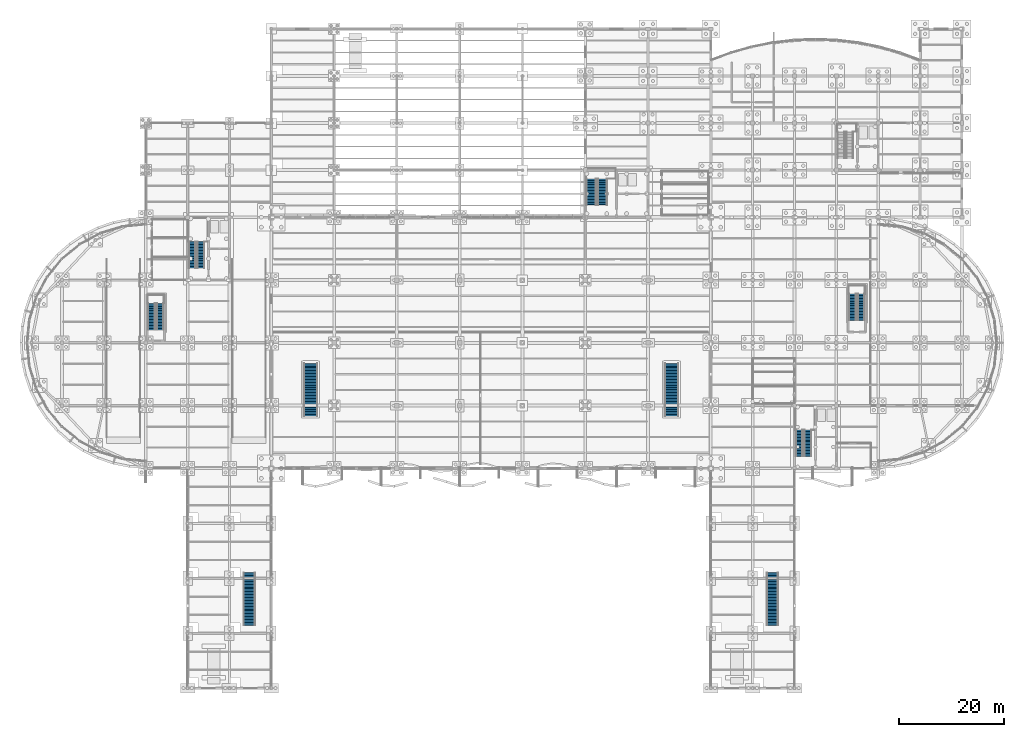
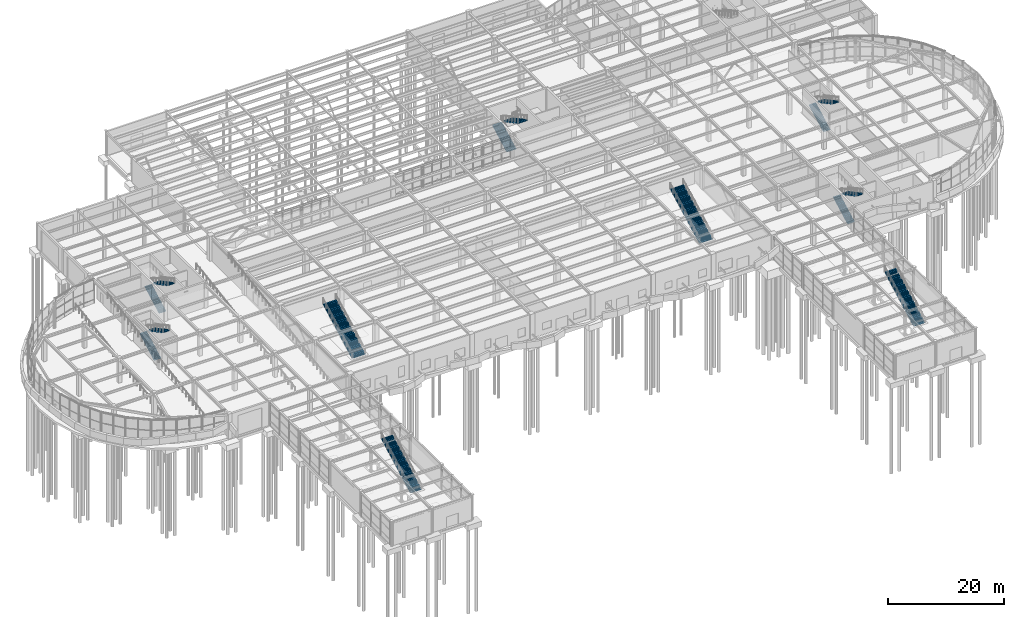
# One storey, part 71 of 85: 14 stair flights, 9 elements without a shape of their own.
"""IFC4 building model written with IfcOpenShell, lengths in metres."""

from ifc_helpers import new_model, si_unit, direction, frame, origin, place, context, subcontext, project, spatial, polyline, outline, extrude, material, type_object, element, aggregate, save


model = new_model("IFC4")

# Units and contexts
model_context = context("Model", 3, precision=1e-05, world=origin(), true_north=direction((0.0, 1.0)))
body_context = subcontext(model_context, "Body", "Model", "MODEL_VIEW")
ifc_project = project(units=[si_unit("LENGTHUNIT", "METRE"), si_unit("AREAUNIT", "SQUARE_METRE"), si_unit("VOLUMEUNIT", "CUBIC_METRE"), si_unit("PLANEANGLEUNIT", "RADIAN"), si_unit("MASSUNIT", "GRAM", prefix="KILO")], contexts=[model_context])

# Site, building, storey
site_placement = place(None, origin())
site = spatial("IfcSite", under=ifc_project, at=site_placement, CompositionType="ELEMENT")
building_placement = place(site_placement, origin())
building = spatial("IfcBuilding", under=site, at=building_placement, Name="Keelwater Ferry Terminal", CompositionType="ELEMENT")
storey_placement = place(building_placement, origin())
storey = spatial("IfcBuildingStorey", under=building, at=storey_placement, Name="L00", CompositionType="ELEMENT", Elevation=0.0)

# Stair, stair flights
ifc_material_1 = material(Name="Concrete C40/50", Category="concrete")
stair_type_1 = type_object("IfcStairType", Name="ST-T01 Half-Turn Stair 1350W 36R", PredefinedType="HALF_TURN_STAIR", material=ifc_material_1)
stair_1_placement = place(storey_placement, origin())
stair_1 = element("IfcStair", 1, at=stair_1_placement, inside=storey, type_object=stair_type_1, Name="Half-Turn Stair ST-C1-L00", PredefinedType="HALF_TURN_STAIR")
ifc_material_2 = material(Name="Concrete C40/50", Category="concrete")
stair_flight_type_1 = type_object("IfcStairFlightType", Name="FL-T01 Straight Flight 1350W 36R", PredefinedType="STRAIGHT", material=ifc_material_2)
stair_flight_1_placement = place(storey_placement, frame((32.875, 80.300048828125, 0.0), z_axis=(0.0, 0.0, 1.0), x_axis=(0.0, 1.0, 0.0)))
stair_flight_1 = element("IfcStairFlight", 2, at=stair_flight_1_placement, type_object=stair_flight_type_1, Name="ST-C1-L00 flight 1", NumberOfRisers=18, NumberOfTreads=17, PredefinedType="STRAIGHT", RiserHeight=0.15, TreadLength=0.28, context=body_context, shape_type="SweptSolid", body=[
    extrude(outline(polyline([(0.0, 0.0), (0.0, 0.14990234375), (0.280029296875, 0.14990234375), (0.280029296875, 0.300048828125), (0.56005859375, 0.300048828125), (0.56005859375, 0.449951171875), (0.840087890625, 0.449951171875), (0.840087890625, 0.60009765625), (1.1201171875, 0.60009765625), (1.1201171875, 0.75), (1.39990234375, 0.75), (1.39990234375, 0.89990234375), (1.679931640625, 0.89990234375), (1.679931640625, 1.050048828125), (1.9599609375, 1.050048828125), (1.9599609375, 1.199951171875), (2.239990234375, 1.199951171875), (2.239990234375, 1.35009765625), (2.52001953125, 1.35009765625), (2.52001953125, 1.5), (2.800048828125, 1.5), (2.800048828125, 1.64990234375), (3.080078125, 1.64990234375), (3.080078125, 1.800048828125), (3.360107421875, 1.800048828125), (3.360107421875, 1.949951171875), (3.639892578125, 1.949951171875), (3.639892578125, 2.10009765625), (3.919921875, 2.10009765625), (3.919921875, 2.25), (4.199951171875, 2.25), (4.199951171875, 2.39990234375), (4.47998046875, 2.39990234375), (4.47998046875, 2.550048828125), (4.760009765625, 2.550048828125), (4.760009765625, 2.699951171875), (5.0400390625, 2.699951171875), (5.0400390625, 2.495849609375), (0.381103515625, 0.0), (0.0, 0.0)])), frame((0.0, 0.675048828125, 0.0), z_axis=(0.0, -1.0, 0.0), x_axis=(1.0, 0.0, 0.0)), (0.0, 0.0, 1.0), 1.35009765625),
])
stair_flight_2_placement = place(storey_placement, frame((34.56494140625, 85.340087890625, 2.699951171875), z_axis=(0.0, 0.0, 1.0), x_axis=(0.0, -1.0, 0.0)))
stair_flight_2 = element("IfcStairFlight", 3, at=stair_flight_2_placement, type_object=stair_flight_type_1, Name="ST-C1-L00 flight 2", NumberOfRisers=18, NumberOfTreads=17, PredefinedType="STRAIGHT", RiserHeight=0.15, TreadLength=0.28, context=body_context, shape_type="SweptSolid", body=[
    extrude(outline(polyline([(0.0, 0.0), (0.0, 0.14990234375), (0.280029296875, 0.14990234375), (0.280029296875, 0.300048828125), (0.56005859375, 0.300048828125), (0.56005859375, 0.449951171875), (0.840087890625, 0.449951171875), (0.840087890625, 0.60009765625), (1.1201171875, 0.60009765625), (1.1201171875, 0.75), (1.39990234375, 0.75), (1.39990234375, 0.89990234375), (1.679931640625, 0.89990234375), (1.679931640625, 1.050048828125), (1.9599609375, 1.050048828125), (1.9599609375, 1.199951171875), (2.239990234375, 1.199951171875), (2.239990234375, 1.35009765625), (2.52001953125, 1.35009765625), (2.52001953125, 1.5), (2.800048828125, 1.5), (2.800048828125, 1.64990234375), (3.080078125, 1.64990234375), (3.080078125, 1.800048828125), (3.360107421875, 1.800048828125), (3.360107421875, 1.949951171875), (3.639892578125, 1.949951171875), (3.639892578125, 2.10009765625), (3.919921875, 2.10009765625), (3.919921875, 2.25), (4.199951171875, 2.25), (4.199951171875, 2.39990234375), (4.47998046875, 2.39990234375), (4.47998046875, 2.550048828125), (4.760009765625, 2.550048828125), (4.760009765625, 2.699951171875), (5.0400390625, 2.699951171875), (5.0400390625, 2.495849609375), (0.381103515625, 0.0), (0.0, 0.0)])), frame((0.0, 0.675048828125, 0.0), z_axis=(0.0, -1.0, 0.0), x_axis=(1.0, 0.0, 0.0)), (0.0, 0.0, 1.0), 1.35009765625),
])
aggregate(stair_1, [stair_flight_1, stair_flight_2])

stair_2_placement = place(storey_placement, origin())
stair_2 = element("IfcStair", 4, at=stair_2_placement, inside=storey, type_object=stair_type_1, Name="Half-Turn Stair ST-C4-L00", PredefinedType="HALF_TURN_STAIR")
stair_flight_3_placement = place(storey_placement, frame((148.875, 44.300048828125, 0.0), z_axis=(0.0, 0.0, 1.0), x_axis=(0.0, 1.0, 0.0)))
stair_flight_3 = element("IfcStairFlight", 5, at=stair_flight_3_placement, type_object=stair_flight_type_1, Name="ST-C4-L00 flight 1", NumberOfRisers=18, NumberOfTreads=17, PredefinedType="STRAIGHT", RiserHeight=0.15, TreadLength=0.28, context=body_context, shape_type="SweptSolid", body=[
    extrude(outline(polyline([(0.0, 0.0), (0.0, 0.14990234375), (0.280029296875, 0.14990234375), (0.280029296875, 0.300048828125), (0.56005859375, 0.300048828125), (0.56005859375, 0.449951171875), (0.840087890625, 0.449951171875), (0.840087890625, 0.60009765625), (1.1201171875, 0.60009765625), (1.1201171875, 0.75), (1.39990234375, 0.75), (1.39990234375, 0.89990234375), (1.679931640625, 0.89990234375), (1.679931640625, 1.050048828125), (1.9599609375, 1.050048828125), (1.9599609375, 1.199951171875), (2.239990234375, 1.199951171875), (2.239990234375, 1.35009765625), (2.52001953125, 1.35009765625), (2.52001953125, 1.5), (2.800048828125, 1.5), (2.800048828125, 1.64990234375), (3.080078125, 1.64990234375), (3.080078125, 1.800048828125), (3.360107421875, 1.800048828125), (3.360107421875, 1.949951171875), (3.639892578125, 1.949951171875), (3.639892578125, 2.10009765625), (3.919921875, 2.10009765625), (3.919921875, 2.25), (4.199951171875, 2.25), (4.199951171875, 2.39990234375), (4.47998046875, 2.39990234375), (4.47998046875, 2.550048828125), (4.760009765625, 2.550048828125), (4.760009765625, 2.699951171875), (5.0400390625, 2.699951171875), (5.0400390625, 2.495849609375), (0.381103515625, 0.0), (0.0, 0.0)])), frame((0.0, 0.675048828125, 0.0), z_axis=(0.0, -1.0, 0.0), x_axis=(1.0, 0.0, 0.0)), (0.0, 0.0, 1.0), 1.35009765625),
])
stair_flight_4_placement = place(storey_placement, frame((150.56494140625, 49.340087890625, 2.699951171875), z_axis=(0.0, 0.0, 1.0), x_axis=(0.0, -1.0, 0.0)))
stair_flight_4 = element("IfcStairFlight", 6, at=stair_flight_4_placement, type_object=stair_flight_type_1, Name="ST-C4-L00 flight 2", NumberOfRisers=18, NumberOfTreads=17, PredefinedType="STRAIGHT", RiserHeight=0.15, TreadLength=0.28, context=body_context, shape_type="SweptSolid", body=[
    extrude(outline(polyline([(0.0, 0.0), (0.0, 0.14990234375), (0.280029296875, 0.14990234375), (0.280029296875, 0.300048828125), (0.56005859375, 0.300048828125), (0.56005859375, 0.449951171875), (0.840087890625, 0.449951171875), (0.840087890625, 0.60009765625), (1.1201171875, 0.60009765625), (1.1201171875, 0.75), (1.39990234375, 0.75), (1.39990234375, 0.89990234375), (1.679931640625, 0.89990234375), (1.679931640625, 1.050048828125), (1.9599609375, 1.050048828125), (1.9599609375, 1.199951171875), (2.239990234375, 1.199951171875), (2.239990234375, 1.35009765625), (2.52001953125, 1.35009765625), (2.52001953125, 1.5), (2.800048828125, 1.5), (2.800048828125, 1.64990234375), (3.080078125, 1.64990234375), (3.080078125, 1.800048828125), (3.360107421875, 1.800048828125), (3.360107421875, 1.949951171875), (3.639892578125, 1.949951171875), (3.639892578125, 2.10009765625), (3.919921875, 2.10009765625), (3.919921875, 2.25), (4.199951171875, 2.25), (4.199951171875, 2.39990234375), (4.47998046875, 2.39990234375), (4.47998046875, 2.550048828125), (4.760009765625, 2.550048828125), (4.760009765625, 2.699951171875), (5.0400390625, 2.699951171875), (5.0400390625, 2.495849609375), (0.381103515625, 0.0), (0.0, 0.0)])), frame((0.0, 0.675048828125, 0.0), z_axis=(0.0, -1.0, 0.0), x_axis=(1.0, 0.0, 0.0)), (0.0, 0.0, 1.0), 1.35009765625),
])
aggregate(stair_2, [stair_flight_3, stair_flight_4])

stair_3_placement = place(storey_placement, origin())
stair_3 = element("IfcStair", 7, at=stair_3_placement, inside=storey, type_object=stair_type_1, Name="Half-Turn Stair ST-E5-L00", PredefinedType="HALF_TURN_STAIR")
stair_flight_5_placement = place(storey_placement, frame((159.074951171875, 70.300048828125, 0.0), z_axis=(0.0, 0.0, 1.0), x_axis=(0.0, 1.0, 0.0)))
stair_flight_5 = element("IfcStairFlight", 8, at=stair_flight_5_placement, type_object=stair_flight_type_1, Name="ST-E5-L00 flight 1", NumberOfRisers=18, NumberOfTreads=17, PredefinedType="STRAIGHT", RiserHeight=0.15, TreadLength=0.28, context=body_context, shape_type="SweptSolid", body=[
    extrude(outline(polyline([(0.0, 0.0), (0.0, 0.14990234375), (0.280029296875, 0.14990234375), (0.280029296875, 0.300048828125), (0.56005859375, 0.300048828125), (0.56005859375, 0.449951171875), (0.840087890625, 0.449951171875), (0.840087890625, 0.60009765625), (1.1201171875, 0.60009765625), (1.1201171875, 0.75), (1.39990234375, 0.75), (1.39990234375, 0.89990234375), (1.679931640625, 0.89990234375), (1.679931640625, 1.050048828125), (1.9599609375, 1.050048828125), (1.9599609375, 1.199951171875), (2.239990234375, 1.199951171875), (2.239990234375, 1.35009765625), (2.52001953125, 1.35009765625), (2.52001953125, 1.5), (2.800048828125, 1.5), (2.800048828125, 1.64990234375), (3.080078125, 1.64990234375), (3.080078125, 1.800048828125), (3.360107421875, 1.800048828125), (3.360107421875, 1.949951171875), (3.639892578125, 1.949951171875), (3.639892578125, 2.10009765625), (3.919921875, 2.10009765625), (3.919921875, 2.25), (4.199951171875, 2.25), (4.199951171875, 2.39990234375), (4.47998046875, 2.39990234375), (4.47998046875, 2.550048828125), (4.760009765625, 2.550048828125), (4.760009765625, 2.699951171875), (5.0400390625, 2.699951171875), (5.0400390625, 2.495849609375), (0.381103515625, 0.0), (0.0, 0.0)])), frame((0.0, 0.675048828125, 0.0), z_axis=(0.0, -1.0, 0.0), x_axis=(1.0, 0.0, 0.0)), (0.0, 0.0, 1.0), 1.35009765625),
])
stair_flight_6_placement = place(storey_placement, frame((160.764892578125, 75.340087890625, 2.699951171875), z_axis=(0.0, 0.0, 1.0), x_axis=(0.0, -1.0, 0.0)))
stair_flight_6 = element("IfcStairFlight", 9, at=stair_flight_6_placement, type_object=stair_flight_type_1, Name="ST-E5-L00 flight 2", NumberOfRisers=18, NumberOfTreads=17, PredefinedType="STRAIGHT", RiserHeight=0.15, TreadLength=0.28, context=body_context, shape_type="SweptSolid", body=[
    extrude(outline(polyline([(0.0, 0.0), (0.0, 0.14990234375), (0.280029296875, 0.14990234375), (0.280029296875, 0.300048828125), (0.56005859375, 0.300048828125), (0.56005859375, 0.449951171875), (0.840087890625, 0.449951171875), (0.840087890625, 0.60009765625), (1.1201171875, 0.60009765625), (1.1201171875, 0.75), (1.39990234375, 0.75), (1.39990234375, 0.89990234375), (1.679931640625, 0.89990234375), (1.679931640625, 1.050048828125), (1.9599609375, 1.050048828125), (1.9599609375, 1.199951171875), (2.239990234375, 1.199951171875), (2.239990234375, 1.35009765625), (2.52001953125, 1.35009765625), (2.52001953125, 1.5), (2.800048828125, 1.5), (2.800048828125, 1.64990234375), (3.080078125, 1.64990234375), (3.080078125, 1.800048828125), (3.360107421875, 1.800048828125), (3.360107421875, 1.949951171875), (3.639892578125, 1.949951171875), (3.639892578125, 2.10009765625), (3.919921875, 2.10009765625), (3.919921875, 2.25), (4.199951171875, 2.25), (4.199951171875, 2.39990234375), (4.47998046875, 2.39990234375), (4.47998046875, 2.550048828125), (4.760009765625, 2.550048828125), (4.760009765625, 2.699951171875), (5.0400390625, 2.699951171875), (5.0400390625, 2.495849609375), (0.381103515625, 0.0), (0.0, 0.0)])), frame((0.0, 0.675048828125, 0.0), z_axis=(0.0, -1.0, 0.0), x_axis=(1.0, 0.0, 0.0)), (0.0, 0.0, 1.0), 1.35009765625),
])
aggregate(stair_3, [stair_flight_5, stair_flight_6])

stair_4_placement = place(storey_placement, origin())
stair_4 = element("IfcStair", 10, at=stair_4_placement, inside=storey, type_object=stair_type_1, Name="Half-Turn Stair ST-W6-L00", PredefinedType="HALF_TURN_STAIR")
stair_flight_7_placement = place(storey_placement, frame((25.074951171875, 68.5, 0.0), z_axis=(0.0, 0.0, 1.0), x_axis=(0.0, 1.0, 0.0)))
stair_flight_7 = element("IfcStairFlight", 11, at=stair_flight_7_placement, type_object=stair_flight_type_1, Name="ST-W6-L00 flight 1", NumberOfRisers=18, NumberOfTreads=17, PredefinedType="STRAIGHT", RiserHeight=0.15, TreadLength=0.28, context=body_context, shape_type="SweptSolid", body=[
    extrude(outline(polyline([(0.0, 0.0), (0.0, 0.14990234375), (0.280029296875, 0.14990234375), (0.280029296875, 0.300048828125), (0.56005859375, 0.300048828125), (0.56005859375, 0.449951171875), (0.840087890625, 0.449951171875), (0.840087890625, 0.60009765625), (1.1201171875, 0.60009765625), (1.1201171875, 0.75), (1.39990234375, 0.75), (1.39990234375, 0.89990234375), (1.679931640625, 0.89990234375), (1.679931640625, 1.050048828125), (1.9599609375, 1.050048828125), (1.9599609375, 1.199951171875), (2.239990234375, 1.199951171875), (2.239990234375, 1.35009765625), (2.52001953125, 1.35009765625), (2.52001953125, 1.5), (2.800048828125, 1.5), (2.800048828125, 1.64990234375), (3.080078125, 1.64990234375), (3.080078125, 1.800048828125), (3.360107421875, 1.800048828125), (3.360107421875, 1.949951171875), (3.639892578125, 1.949951171875), (3.639892578125, 2.10009765625), (3.919921875, 2.10009765625), (3.919921875, 2.25), (4.199951171875, 2.25), (4.199951171875, 2.39990234375), (4.47998046875, 2.39990234375), (4.47998046875, 2.550048828125), (4.760009765625, 2.550048828125), (4.760009765625, 2.699951171875), (5.0400390625, 2.699951171875), (5.0400390625, 2.495849609375), (0.381103515625, 0.0), (0.0, 0.0)])), frame((0.0, 0.675048828125, 0.0), z_axis=(0.0, -1.0, 0.0), x_axis=(1.0, 0.0, 0.0)), (0.0, 0.0, 1.0), 1.35009765625),
])
stair_flight_8_placement = place(storey_placement, frame((26.764892578125, 73.5400390625, 2.699951171875), z_axis=(0.0, 0.0, 1.0), x_axis=(0.0, -1.0, 0.0)))
stair_flight_8 = element("IfcStairFlight", 12, at=stair_flight_8_placement, type_object=stair_flight_type_1, Name="ST-W6-L00 flight 2", NumberOfRisers=18, NumberOfTreads=17, PredefinedType="STRAIGHT", RiserHeight=0.15, TreadLength=0.28, context=body_context, shape_type="SweptSolid", body=[
    extrude(outline(polyline([(0.0, 0.0), (0.0, 0.14990234375), (0.280029296875, 0.14990234375), (0.280029296875, 0.300048828125), (0.56005859375, 0.300048828125), (0.56005859375, 0.449951171875), (0.840087890625, 0.449951171875), (0.840087890625, 0.60009765625), (1.1201171875, 0.60009765625), (1.1201171875, 0.75), (1.39990234375, 0.75), (1.39990234375, 0.89990234375), (1.679931640625, 0.89990234375), (1.679931640625, 1.050048828125), (1.9599609375, 1.050048828125), (1.9599609375, 1.199951171875), (2.239990234375, 1.199951171875), (2.239990234375, 1.35009765625), (2.52001953125, 1.35009765625), (2.52001953125, 1.5), (2.800048828125, 1.5), (2.800048828125, 1.64990234375), (3.080078125, 1.64990234375), (3.080078125, 1.800048828125), (3.360107421875, 1.800048828125), (3.360107421875, 1.949951171875), (3.639892578125, 1.949951171875), (3.639892578125, 2.10009765625), (3.919921875, 2.10009765625), (3.919921875, 2.25), (4.199951171875, 2.25), (4.199951171875, 2.39990234375), (4.47998046875, 2.39990234375), (4.47998046875, 2.550048828125), (4.760009765625, 2.550048828125), (4.760009765625, 2.699951171875), (5.0400390625, 2.699951171875), (5.0400390625, 2.495849609375), (0.381103515625, 0.0), (0.0, 0.0)])), frame((0.0, 0.675048828125, 0.0), z_axis=(0.0, -1.0, 0.0), x_axis=(1.0, 0.0, 0.0)), (0.0, 0.0, 1.0), 1.35009765625),
])
aggregate(stair_4, [stair_flight_7, stair_flight_8])

ifc_material_3 = material(Name="Concrete C40/50", Category="concrete")
stair_type_2 = type_object("IfcStairType", Name="ST-T03 Half-Turn Stair 1850W 36R", PredefinedType="HALF_TURN_STAIR", material=ifc_material_3)
stair_5_placement = place(storey_placement, origin())
stair_5 = element("IfcStair", 13, at=stair_5_placement, inside=storey, type_object=stair_type_2, Name="Half-Turn Stair ST-C2-L00", PredefinedType="HALF_TURN_STAIR")
ifc_material_4 = material(Name="Concrete C40/50", Category="concrete")
stair_flight_type_2 = type_object("IfcStairFlightType", Name="FL-T03 Straight Flight 1850W 36R", PredefinedType="STRAIGHT", material=ifc_material_4)
stair_flight_9_placement = place(storey_placement, frame((109.125, 92.300048828125, 0.0), z_axis=(0.0, 0.0, 1.0), x_axis=(0.0, 1.0, 0.0)))
stair_flight_9 = element("IfcStairFlight", 14, at=stair_flight_9_placement, type_object=stair_flight_type_2, Name="ST-C2-L00 flight 1", NumberOfRisers=18, NumberOfTreads=17, PredefinedType="STRAIGHT", RiserHeight=0.15, TreadLength=0.28, context=body_context, shape_type="SweptSolid", body=[
    extrude(outline(polyline([(0.0, 0.0), (0.0, 0.14990234375), (0.280029296875, 0.14990234375), (0.280029296875, 0.300048828125), (0.56005859375, 0.300048828125), (0.56005859375, 0.449951171875), (0.840087890625, 0.449951171875), (0.840087890625, 0.60009765625), (1.1201171875, 0.60009765625), (1.1201171875, 0.75), (1.39990234375, 0.75), (1.39990234375, 0.89990234375), (1.679931640625, 0.89990234375), (1.679931640625, 1.050048828125), (1.9599609375, 1.050048828125), (1.9599609375, 1.199951171875), (2.239990234375, 1.199951171875), (2.239990234375, 1.35009765625), (2.52001953125, 1.35009765625), (2.52001953125, 1.5), (2.800048828125, 1.5), (2.800048828125, 1.64990234375), (3.080078125, 1.64990234375), (3.080078125, 1.800048828125), (3.360107421875, 1.800048828125), (3.360107421875, 1.949951171875), (3.639892578125, 1.949951171875), (3.639892578125, 2.10009765625), (3.919921875, 2.10009765625), (3.919921875, 2.25), (4.199951171875, 2.25), (4.199951171875, 2.39990234375), (4.47998046875, 2.39990234375), (4.47998046875, 2.550048828125), (4.760009765625, 2.550048828125), (4.760009765625, 2.699951171875), (5.0400390625, 2.699951171875), (5.0400390625, 2.495849609375), (0.381103515625, 0.0), (0.0, 0.0)])), frame((0.0, 0.925048828125, 0.0), z_axis=(0.0, -1.0, 0.0), x_axis=(1.0, 0.0, 0.0)), (0.0, 0.0, 1.0), 1.85009765625),
])
stair_flight_10_placement = place(storey_placement, frame((111.31494140625, 97.340087890625, 2.699951171875), z_axis=(0.0, 0.0, 1.0), x_axis=(0.0, -1.0, 0.0)))
stair_flight_10 = element("IfcStairFlight", 15, at=stair_flight_10_placement, type_object=stair_flight_type_2, Name="ST-C2-L00 flight 2", NumberOfRisers=18, NumberOfTreads=17, PredefinedType="STRAIGHT", RiserHeight=0.15, TreadLength=0.28, context=body_context, shape_type="SweptSolid", body=[
    extrude(outline(polyline([(0.0, 0.0), (0.0, 0.14990234375), (0.280029296875, 0.14990234375), (0.280029296875, 0.300048828125), (0.56005859375, 0.300048828125), (0.56005859375, 0.449951171875), (0.840087890625, 0.449951171875), (0.840087890625, 0.60009765625), (1.1201171875, 0.60009765625), (1.1201171875, 0.75), (1.39990234375, 0.75), (1.39990234375, 0.89990234375), (1.679931640625, 0.89990234375), (1.679931640625, 1.050048828125), (1.9599609375, 1.050048828125), (1.9599609375, 1.199951171875), (2.239990234375, 1.199951171875), (2.239990234375, 1.35009765625), (2.52001953125, 1.35009765625), (2.52001953125, 1.5), (2.800048828125, 1.5), (2.800048828125, 1.64990234375), (3.080078125, 1.64990234375), (3.080078125, 1.800048828125), (3.360107421875, 1.800048828125), (3.360107421875, 1.949951171875), (3.639892578125, 1.949951171875), (3.639892578125, 2.10009765625), (3.919921875, 2.10009765625), (3.919921875, 2.25), (4.199951171875, 2.25), (4.199951171875, 2.39990234375), (4.47998046875, 2.39990234375), (4.47998046875, 2.550048828125), (4.760009765625, 2.550048828125), (4.760009765625, 2.699951171875), (5.0400390625, 2.699951171875), (5.0400390625, 2.495849609375), (0.381103515625, 0.0), (0.0, 0.0)])), frame((0.0, 0.925048828125, 0.0), z_axis=(0.0, -1.0, 0.0), x_axis=(1.0, 0.0, 0.0)), (0.0, 0.0, 1.0), 1.85009765625),
])
aggregate(stair_5, [stair_flight_9, stair_flight_10])

# Stair, stair flight
ifc_material_5 = material(Name="Concrete C40/50", Category="concrete")
stair_type_3 = type_object("IfcStairType", Name="ST-T09 Straight Run Stair 2600W 36R", PredefinedType="STRAIGHT_RUN_STAIR", material=ifc_material_5)
stair_6_placement = place(storey_placement, origin())
stair_6 = element("IfcStair", 16, at=stair_6_placement, inside=storey, type_object=stair_type_3, Name="Straight Concourse Stair GS-01", PredefinedType="STRAIGHT_RUN_STAIR")
ifc_material_6 = material(Name="Concrete C40/50", Category="concrete")
stair_flight_type_3 = type_object("IfcStairFlightType", Name="FL-T09 Straight Flight 2600W 36R", PredefinedType="STRAIGHT", material=ifc_material_6)
stair_flight_11_placement = place(storey_placement, frame((55.5, 52.0, 0.0), z_axis=(0.0, 0.0, 1.0), x_axis=(0.0, 1.0, 0.0)))
stair_flight_11 = element("IfcStairFlight", 17, at=stair_flight_11_placement, type_object=stair_flight_type_3, Name="GS-01 flight 1", NumberOfRisers=36, NumberOfTreads=35, PredefinedType="STRAIGHT", RiserHeight=0.15, TreadLength=0.28, context=body_context, shape_type="SweptSolid", body=[
    extrude(outline(polyline([(0.0, 0.0), (0.0, 0.14990234375), (0.280029296875, 0.14990234375), (0.280029296875, 0.300048828125), (0.56005859375, 0.300048828125), (0.56005859375, 0.449951171875), (0.840087890625, 0.449951171875), (0.840087890625, 0.60009765625), (1.1201171875, 0.60009765625), (1.1201171875, 0.75), (1.39990234375, 0.75), (1.39990234375, 0.89990234375), (1.679931640625, 0.89990234375), (1.679931640625, 1.050048828125), (1.9599609375, 1.050048828125), (1.9599609375, 1.199951171875), (2.239990234375, 1.199951171875), (2.239990234375, 1.35009765625), (2.52001953125, 1.35009765625), (2.52001953125, 1.5), (2.800048828125, 1.5), (2.800048828125, 1.64990234375), (3.080078125, 1.64990234375), (3.080078125, 1.800048828125), (3.360107421875, 1.800048828125), (3.360107421875, 1.949951171875), (3.639892578125, 1.949951171875), (3.639892578125, 2.10009765625), (3.919921875, 2.10009765625), (3.919921875, 2.25), (4.199951171875, 2.25), (4.199951171875, 2.39990234375), (4.47998046875, 2.39990234375), (4.47998046875, 2.550048828125), (4.760009765625, 2.550048828125), (4.760009765625, 2.699951171875), (5.0400390625, 2.699951171875), (5.0400390625, 2.85009765625), (5.320068359375, 2.85009765625), (5.320068359375, 3.0), (5.60009765625, 3.0), (5.60009765625, 3.14990234375), (5.8798828125, 3.14990234375), (5.8798828125, 3.300048828125), (6.159912109375, 3.300048828125), (6.159912109375, 3.449951171875), (6.43994140625, 3.449951171875), (6.43994140625, 3.60009765625), (6.719970703125, 3.60009765625), (6.719970703125, 3.75), (7.0, 3.75), (7.0, 3.89990234375), (7.280029296875, 3.89990234375), (7.280029296875, 4.050048828125), (7.56005859375, 4.050048828125), (7.56005859375, 4.199951171875), (7.840087890625, 4.199951171875), (7.840087890625, 4.35009765625), (8.1201171875, 4.35009765625), (8.1201171875, 4.5), (8.39990234375, 4.5), (8.39990234375, 4.64990234375), (8.679931640625, 4.64990234375), (8.679931640625, 4.800048828125), (8.9599609375, 4.800048828125), (8.9599609375, 4.949951171875), (9.239990234375, 4.949951171875), (9.239990234375, 5.10009765625), (9.52001953125, 5.10009765625), (9.52001953125, 5.25), (9.800048828125, 5.25), (9.800048828125, 5.39990234375), (10.080078125, 5.39990234375), (10.080078125, 5.173095703125), (0.42333984375, 0.0), (0.0, 0.0)])), frame((0.0, 1.300048828125, 0.0), z_axis=(0.0, -1.0, 0.0), x_axis=(1.0, 0.0, 0.0)), (0.0, 0.0, 1.0), 2.60009765625),
])
aggregate(stair_6, [stair_flight_11])

stair_7_placement = place(storey_placement, origin())
stair_7 = element("IfcStair", 18, at=stair_7_placement, inside=storey, type_object=stair_type_3, Name="Straight Concourse Stair GS-02", PredefinedType="STRAIGHT_RUN_STAIR")
stair_flight_12_placement = place(storey_placement, frame((124.5, 52.0, 0.0), z_axis=(0.0, 0.0, 1.0), x_axis=(0.0, 1.0, 0.0)))
stair_flight_12 = element("IfcStairFlight", 19, at=stair_flight_12_placement, type_object=stair_flight_type_3, Name="GS-02 flight 1", NumberOfRisers=36, NumberOfTreads=35, PredefinedType="STRAIGHT", RiserHeight=0.15, TreadLength=0.28, context=body_context, shape_type="SweptSolid", body=[
    extrude(outline(polyline([(0.0, 0.0), (0.0, 0.14990234375), (0.280029296875, 0.14990234375), (0.280029296875, 0.300048828125), (0.56005859375, 0.300048828125), (0.56005859375, 0.449951171875), (0.840087890625, 0.449951171875), (0.840087890625, 0.60009765625), (1.1201171875, 0.60009765625), (1.1201171875, 0.75), (1.39990234375, 0.75), (1.39990234375, 0.89990234375), (1.679931640625, 0.89990234375), (1.679931640625, 1.050048828125), (1.9599609375, 1.050048828125), (1.9599609375, 1.199951171875), (2.239990234375, 1.199951171875), (2.239990234375, 1.35009765625), (2.52001953125, 1.35009765625), (2.52001953125, 1.5), (2.800048828125, 1.5), (2.800048828125, 1.64990234375), (3.080078125, 1.64990234375), (3.080078125, 1.800048828125), (3.360107421875, 1.800048828125), (3.360107421875, 1.949951171875), (3.639892578125, 1.949951171875), (3.639892578125, 2.10009765625), (3.919921875, 2.10009765625), (3.919921875, 2.25), (4.199951171875, 2.25), (4.199951171875, 2.39990234375), (4.47998046875, 2.39990234375), (4.47998046875, 2.550048828125), (4.760009765625, 2.550048828125), (4.760009765625, 2.699951171875), (5.0400390625, 2.699951171875), (5.0400390625, 2.85009765625), (5.320068359375, 2.85009765625), (5.320068359375, 3.0), (5.60009765625, 3.0), (5.60009765625, 3.14990234375), (5.8798828125, 3.14990234375), (5.8798828125, 3.300048828125), (6.159912109375, 3.300048828125), (6.159912109375, 3.449951171875), (6.43994140625, 3.449951171875), (6.43994140625, 3.60009765625), (6.719970703125, 3.60009765625), (6.719970703125, 3.75), (7.0, 3.75), (7.0, 3.89990234375), (7.280029296875, 3.89990234375), (7.280029296875, 4.050048828125), (7.56005859375, 4.050048828125), (7.56005859375, 4.199951171875), (7.840087890625, 4.199951171875), (7.840087890625, 4.35009765625), (8.1201171875, 4.35009765625), (8.1201171875, 4.5), (8.39990234375, 4.5), (8.39990234375, 4.64990234375), (8.679931640625, 4.64990234375), (8.679931640625, 4.800048828125), (8.9599609375, 4.800048828125), (8.9599609375, 4.949951171875), (9.239990234375, 4.949951171875), (9.239990234375, 5.10009765625), (9.52001953125, 5.10009765625), (9.52001953125, 5.25), (9.800048828125, 5.25), (9.800048828125, 5.39990234375), (10.080078125, 5.39990234375), (10.080078125, 5.173095703125), (0.42333984375, 0.0), (0.0, 0.0)])), frame((0.0, 1.300048828125, 0.0), z_axis=(0.0, -1.0, 0.0), x_axis=(1.0, 0.0, 0.0)), (0.0, 0.0, 1.0), 2.60009765625),
])
aggregate(stair_7, [stair_flight_12])

ifc_material_7 = material(Name="Concrete C40/50", Category="concrete")
stair_type_4 = type_object("IfcStairType", Name="ST-T10 Straight Run Stair 2200W 36R", PredefinedType="STRAIGHT_RUN_STAIR", material=ifc_material_7)
stair_8_placement = place(storey_placement, origin())
stair_8 = element("IfcStair", 20, at=stair_8_placement, inside=storey, type_object=stair_type_4, Name="Straight Concourse Stair BS-01", PredefinedType="STRAIGHT_RUN_STAIR")
ifc_material_8 = material(Name="Concrete C40/50", Category="concrete")
stair_flight_type_4 = type_object("IfcStairFlightType", Name="FL-T10 Straight Flight 2200W 36R", PredefinedType="STRAIGHT", material=ifc_material_8)
stair_flight_13_placement = place(storey_placement, frame((43.800048828125, 12.0, 0.0), z_axis=(0.0, 0.0, 1.0), x_axis=(0.0, 1.0, 0.0)))
stair_flight_13 = element("IfcStairFlight", 21, at=stair_flight_13_placement, type_object=stair_flight_type_4, Name="BS-01 flight 1", NumberOfRisers=36, NumberOfTreads=35, PredefinedType="STRAIGHT", RiserHeight=0.15, TreadLength=0.28, context=body_context, shape_type="SweptSolid", body=[
    extrude(outline(polyline([(0.0, 0.0), (0.0, 0.14990234375), (0.280029296875, 0.14990234375), (0.280029296875, 0.300048828125), (0.56005859375, 0.300048828125), (0.56005859375, 0.449951171875), (0.840087890625, 0.449951171875), (0.840087890625, 0.60009765625), (1.1201171875, 0.60009765625), (1.1201171875, 0.75), (1.39990234375, 0.75), (1.39990234375, 0.89990234375), (1.679931640625, 0.89990234375), (1.679931640625, 1.050048828125), (1.9599609375, 1.050048828125), (1.9599609375, 1.199951171875), (2.239990234375, 1.199951171875), (2.239990234375, 1.35009765625), (2.52001953125, 1.35009765625), (2.52001953125, 1.5), (2.800048828125, 1.5), (2.800048828125, 1.64990234375), (3.080078125, 1.64990234375), (3.080078125, 1.800048828125), (3.360107421875, 1.800048828125), (3.360107421875, 1.949951171875), (3.639892578125, 1.949951171875), (3.639892578125, 2.10009765625), (3.919921875, 2.10009765625), (3.919921875, 2.25), (4.199951171875, 2.25), (4.199951171875, 2.39990234375), (4.47998046875, 2.39990234375), (4.47998046875, 2.550048828125), (4.760009765625, 2.550048828125), (4.760009765625, 2.699951171875), (5.0400390625, 2.699951171875), (5.0400390625, 2.85009765625), (5.320068359375, 2.85009765625), (5.320068359375, 3.0), (5.60009765625, 3.0), (5.60009765625, 3.14990234375), (5.8798828125, 3.14990234375), (5.8798828125, 3.300048828125), (6.159912109375, 3.300048828125), (6.159912109375, 3.449951171875), (6.43994140625, 3.449951171875), (6.43994140625, 3.60009765625), (6.719970703125, 3.60009765625), (6.719970703125, 3.75), (7.0, 3.75), (7.0, 3.89990234375), (7.280029296875, 3.89990234375), (7.280029296875, 4.050048828125), (7.56005859375, 4.050048828125), (7.56005859375, 4.199951171875), (7.840087890625, 4.199951171875), (7.840087890625, 4.35009765625), (8.1201171875, 4.35009765625), (8.1201171875, 4.5), (8.39990234375, 4.5), (8.39990234375, 4.64990234375), (8.679931640625, 4.64990234375), (8.679931640625, 4.800048828125), (8.9599609375, 4.800048828125), (8.9599609375, 4.949951171875), (9.239990234375, 4.949951171875), (9.239990234375, 5.10009765625), (9.52001953125, 5.10009765625), (9.52001953125, 5.25), (9.800048828125, 5.25), (9.800048828125, 5.39990234375), (10.080078125, 5.39990234375), (10.080078125, 5.173095703125), (0.42333984375, 0.0), (0.0, 0.0)])), frame((0.0, 1.10009765625, 0.0), z_axis=(0.0, -1.0, 0.0), x_axis=(1.0, 0.0, 0.0)), (0.0, 0.0, 1.0), 2.199951171875),
])
aggregate(stair_8, [stair_flight_13])

stair_9_placement = place(storey_placement, origin())
stair_9 = element("IfcStair", 22, at=stair_9_placement, inside=storey, type_object=stair_type_4, Name="Straight Concourse Stair BS-02", PredefinedType="STRAIGHT_RUN_STAIR")
stair_flight_14_placement = place(storey_placement, frame((143.800048828125, 12.0, 0.0), z_axis=(0.0, 0.0, 1.0), x_axis=(0.0, 1.0, 0.0)))
stair_flight_14 = element("IfcStairFlight", 23, at=stair_flight_14_placement, type_object=stair_flight_type_4, Name="BS-02 flight 1", NumberOfRisers=36, NumberOfTreads=35, PredefinedType="STRAIGHT", RiserHeight=0.15, TreadLength=0.28, context=body_context, shape_type="SweptSolid", body=[
    extrude(outline(polyline([(0.0, 0.0), (0.0, 0.14990234375), (0.280029296875, 0.14990234375), (0.280029296875, 0.300048828125), (0.56005859375, 0.300048828125), (0.56005859375, 0.449951171875), (0.840087890625, 0.449951171875), (0.840087890625, 0.60009765625), (1.1201171875, 0.60009765625), (1.1201171875, 0.75), (1.39990234375, 0.75), (1.39990234375, 0.89990234375), (1.679931640625, 0.89990234375), (1.679931640625, 1.050048828125), (1.9599609375, 1.050048828125), (1.9599609375, 1.199951171875), (2.239990234375, 1.199951171875), (2.239990234375, 1.35009765625), (2.52001953125, 1.35009765625), (2.52001953125, 1.5), (2.800048828125, 1.5), (2.800048828125, 1.64990234375), (3.080078125, 1.64990234375), (3.080078125, 1.800048828125), (3.360107421875, 1.800048828125), (3.360107421875, 1.949951171875), (3.639892578125, 1.949951171875), (3.639892578125, 2.10009765625), (3.919921875, 2.10009765625), (3.919921875, 2.25), (4.199951171875, 2.25), (4.199951171875, 2.39990234375), (4.47998046875, 2.39990234375), (4.47998046875, 2.550048828125), (4.760009765625, 2.550048828125), (4.760009765625, 2.699951171875), (5.0400390625, 2.699951171875), (5.0400390625, 2.85009765625), (5.320068359375, 2.85009765625), (5.320068359375, 3.0), (5.60009765625, 3.0), (5.60009765625, 3.14990234375), (5.8798828125, 3.14990234375), (5.8798828125, 3.300048828125), (6.159912109375, 3.300048828125), (6.159912109375, 3.449951171875), (6.43994140625, 3.449951171875), (6.43994140625, 3.60009765625), (6.719970703125, 3.60009765625), (6.719970703125, 3.75), (7.0, 3.75), (7.0, 3.89990234375), (7.280029296875, 3.89990234375), (7.280029296875, 4.050048828125), (7.56005859375, 4.050048828125), (7.56005859375, 4.199951171875), (7.840087890625, 4.199951171875), (7.840087890625, 4.35009765625), (8.1201171875, 4.35009765625), (8.1201171875, 4.5), (8.39990234375, 4.5), (8.39990234375, 4.64990234375), (8.679931640625, 4.64990234375), (8.679931640625, 4.800048828125), (8.9599609375, 4.800048828125), (8.9599609375, 4.949951171875), (9.239990234375, 4.949951171875), (9.239990234375, 5.10009765625), (9.52001953125, 5.10009765625), (9.52001953125, 5.25), (9.800048828125, 5.25), (9.800048828125, 5.39990234375), (10.080078125, 5.39990234375), (10.080078125, 5.173095703125), (0.42333984375, 0.0), (0.0, 0.0)])), frame((0.0, 1.10009765625, 0.0), z_axis=(0.0, -1.0, 0.0), x_axis=(1.0, 0.0, 0.0)), (0.0, 0.0, 1.0), 2.199951171875),
])
aggregate(stair_9, [stair_flight_14])

save(model, "model.ifc")
